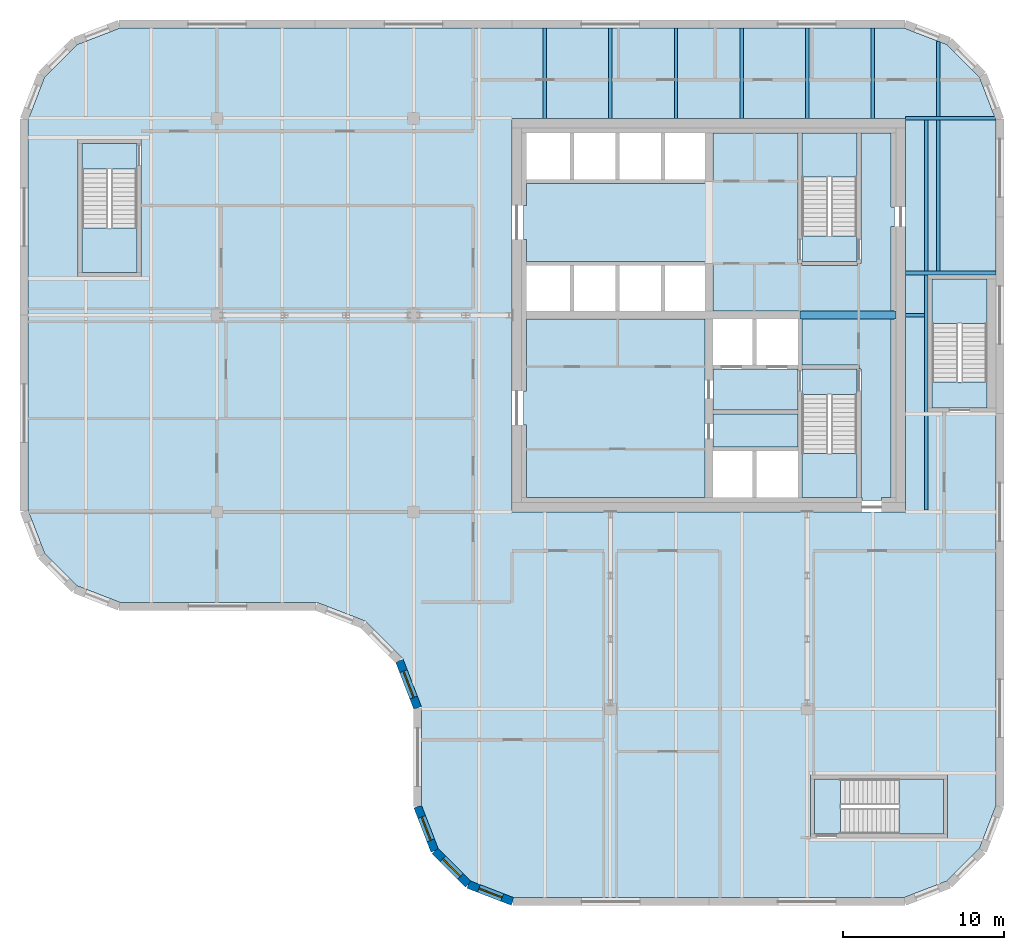
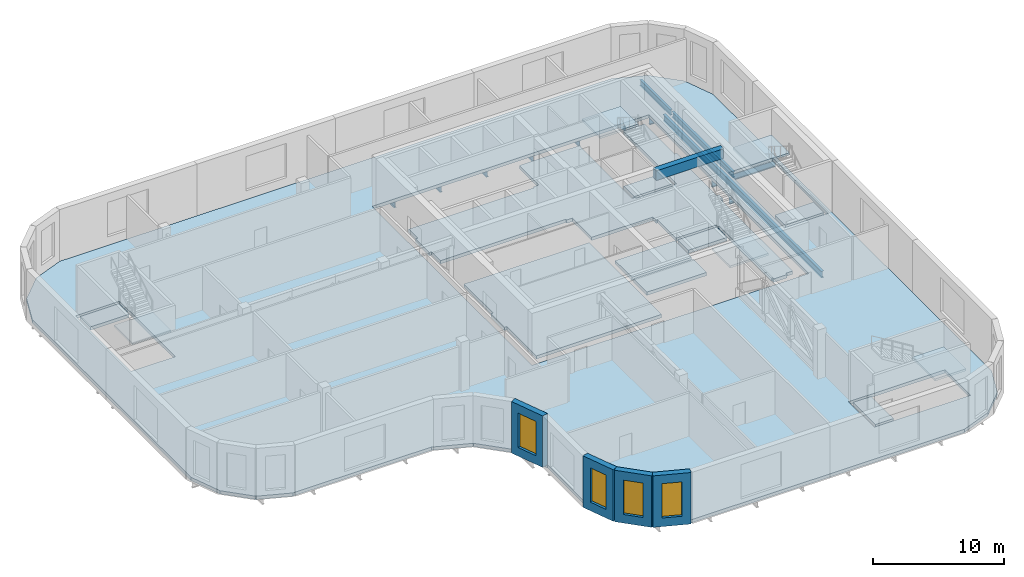
# One storey, part 4 of 12: 15 slabs, 13 beams, 4 walls, 4 windows, 4 openings, 5 elements without a shape of their own.
"""IFC4 building model written with IfcOpenShell, lengths in metres."""

from ifc_helpers import new_model, si_unit, direction, frame, origin, origin_2d, place, context, subcontext, project, spatial, polyline, rectangle, i_section, outline, extrude, faceted_brep, source, transform, mapped, material, layer, layer_set, material_profile, profile_set, type_object, element, fill, aggregate, save


model = new_model("IFC4")

# Units and contexts
model_context = context("Model", 3, precision=1e-05, world=origin(), true_north=direction((0.0, 1.0)))
body_context = subcontext(model_context, "Body", "Model", "MODEL_VIEW")
ifc_project = project(units=[si_unit("LENGTHUNIT", "METRE"), si_unit("AREAUNIT", "SQUARE_METRE"), si_unit("VOLUMEUNIT", "CUBIC_METRE"), si_unit("PLANEANGLEUNIT", "RADIAN"), si_unit("MASSUNIT", "GRAM", prefix="KILO")], contexts=[model_context])

# Site, building, storey
site_placement = place(None, origin())
site = spatial("IfcSite", under=ifc_project, at=site_placement, CompositionType="ELEMENT")
building_placement = place(site_placement, origin())
building = spatial("IfcBuilding", under=site, at=building_placement, Name="Tessera Gate Towers", CompositionType="ELEMENT")
storey_placement = place(building_placement, frame((0.0, 0.0, 150.60009765625)))
storey = spatial("IfcBuildingStorey", under=building, at=storey_placement, Name="L37", CompositionType="ELEMENT", Elevation=150.60009765625)

# Beams
ifc_material_1 = material(Name="Concrete C50/60", Category="concrete")
ifc_material_profile_1 = material_profile(ifc_material_1, rectangle(XDim=0.5, YDim=0.89990234375, at=origin_2d()), Name="RC 500x900")
ifc_profile_set_1 = profile_set([ifc_material_profile_1], Name="Concrete C50/60")
beam_type_1 = type_object("IfcBeamType", Name="COUPLING BEAM 500x900 C50/60", PredefinedType="BEAM", material=ifc_profile_set_1)
beam_1_placement = place(storey_placement, frame((48.35009765625, 36.60009765625, 4.14990234375), z_axis=(1.0, 0.0, 0.0), x_axis=(0.0, 1.0, 0.0)))
element("IfcBeam", 1, at=beam_1_placement, inside=storey, type_object=beam_type_1, Name="L37 coupling beam 1", PredefinedType="BEAM", context=body_context, shape_type="SweptSolid", body=[
    extrude(rectangle(XDim=0.5, YDim=0.89990234375, at=origin_2d()), origin(), (0.0, 0.0, 1.0), 5.949951171875),
])
ifc_material_2 = material(Name="Steel 350W", Category="steel")
ifc_material_profile_2 = material_profile(ifc_material_2, i_section(OverallWidth=0.22900390625, OverallDepth=0.612060546875, WebThickness=0.011962890625, FlangeThickness=0.01953125, at=origin_2d()), Name="W610x125")
ifc_profile_set_2 = profile_set([ifc_material_profile_2], Name="Steel 350W")
beam_type_2 = type_object("IfcBeamType", Name="FLOOR GIRDER W610x125", PredefinedType="BEAM", material=ifc_profile_set_2)
beam_2_placement = place(storey_placement, frame((54.89892578125, 36.60009765625, -0.606201171875), z_axis=(1.0, 0.0, 0.0), x_axis=(0.0, 1.0, 0.0)))
element("IfcBeam", 2, at=beam_2_placement, inside=storey, type_object=beam_type_2, Name="T1-GD-L37-4306", PredefinedType="BEAM", context=body_context, shape_type="SweptSolid", body=[
    extrude(i_section(OverallWidth=0.22900390625, OverallDepth=0.612060546875, WebThickness=0.011962890625, FlangeThickness=0.01953125, at=origin_2d()), origin(), (0.0, 0.0, 1.0), 1.16650390625),
])
beam_3_placement = place(storey_placement, frame((54.90087890625, 48.800048828125, -0.606201171875), z_axis=(1.0, 0.0, 0.0), x_axis=(0.0, 1.0, 0.0)))
element("IfcBeam", 3, at=beam_3_placement, inside=storey, type_object=beam_type_2, Name="T1-GD-L37-4310", PredefinedType="BEAM", context=body_context, shape_type="SweptSolid", body=[
    extrude(i_section(OverallWidth=0.22900390625, OverallDepth=0.612060546875, WebThickness=0.011962890625, FlangeThickness=0.01953125, at=origin_2d()), origin(), (0.0, 0.0, 1.0), 5.564208984375),
])
beam_4_placement = place(storey_placement, frame((54.89892578125, 39.219970703125, -0.606201171875), z_axis=(1.0, 0.0, 0.0), x_axis=(0.0, 1.0, 0.0)))
element("IfcBeam", 4, at=beam_4_placement, inside=storey, type_object=beam_type_2, Name="T1-GD-L37-4328", PredefinedType="BEAM", context=body_context, shape_type="SweptSolid", body=[
    extrude(i_section(OverallWidth=0.22900390625, OverallDepth=0.612060546875, WebThickness=0.011962890625, FlangeThickness=0.01953125, at=origin_2d()), origin(), (0.0, 0.0, 1.0), 5.60205078125),
])
beam_5_placement = place(storey_placement, frame((56.179931640625, 24.514404296875, -0.606201171875), z_axis=(0.0, 1.0, 0.0), x_axis=(-1.0, 0.0, 0.0)))
element("IfcBeam", 5, at=beam_5_placement, inside=storey, type_object=beam_type_2, Name="T1-GD-L37-4329", PredefinedType="BEAM", context=body_context, shape_type="SweptSolid", body=[
    extrude(i_section(OverallWidth=0.22900390625, OverallDepth=0.612060546875, WebThickness=0.011962890625, FlangeThickness=0.01953125, at=origin_2d()), origin(), (0.0, 0.0, 1.0), 24.171142578125),
])
ifc_material_3 = material(Name="Steel 350W", Category="steel")
ifc_material_profile_3 = material_profile(ifc_material_3, i_section(OverallWidth=0.208984375, OverallDepth=0.528076171875, WebThickness=0.009521484375, FlangeThickness=0.01318359375, at=origin_2d()), Name="W530x82")
ifc_profile_set_3 = profile_set([ifc_material_profile_3], Name="Steel 350W")
beam_type_3 = type_object("IfcBeamType", Name="FLOOR SECONDARY W530x82", PredefinedType="BEAM", material=ifc_profile_set_3)
for number, where, z_axis, x_axis, name in (
    (6, (32.533203125, 48.800048828125, -0.564208984375), (0.0, 1.0, 0.0), (-1.0, 0.0, 0.0), "T1-BM-L37-4353"),
    (7, (36.60009765625, 48.800048828125, -0.564208984375), (0.0, 1.0, 0.0), (-1.0, 0.0, 0.0), "T1-BM-L37-4354"),
    (8, (40.666748046875, 48.800048828125, -0.564208984375), (0.0, 1.0, 0.0), (-1.0, 0.0, 0.0), "T1-BM-L37-4357"),
    (9, (44.7333984375, 48.800048828125, -0.564208984375), (0.0, 1.0, 0.0), (-1.0, 0.0, 0.0), "T1-BM-L37-4360"),
    (10, (48.800048828125, 48.800048828125, -0.564208984375), (0.0, 1.0, 0.0), (-1.0, 0.0, 0.0), "T1-BM-L37-4361"),
    (11, (52.86669921875, 48.800048828125, -0.564208984375), (0.0, 1.0, 0.0), (-1.0, 0.0, 0.0), "T1-BM-L37-4365"),
):
    element("IfcBeam", number, at=place(storey_placement, frame(where, z_axis=z_axis, x_axis=x_axis)), inside=storey, type_object=beam_type_3, Name=name, PredefinedType="BEAM", context=body_context, shape_type="SweptSolid", body=[
        extrude(i_section(OverallWidth=0.208984375, OverallDepth=0.528076171875, WebThickness=0.009521484375, FlangeThickness=0.01318359375, at=origin_2d()), origin(), (0.0, 0.0, 1.0), 5.599853515625),
    ])
beam_6_placement = place(storey_placement, frame((56.933349609375, 39.33447265625, -0.564208984375), z_axis=(0.0, 1.0, 0.0), x_axis=(-1.0, 0.0, 0.0)))
element("IfcBeam", 12, at=beam_6_placement, inside=storey, type_object=beam_type_3, Name="T1-BM-L37-4370", PredefinedType="BEAM", context=body_context, shape_type="SweptSolid", body=[
    extrude(i_section(OverallWidth=0.208984375, OverallDepth=0.528076171875, WebThickness=0.009521484375, FlangeThickness=0.01318359375, at=origin_2d()), origin(), (0.0, 0.0, 1.0), 9.35107421875),
])
beam_7_placement = place(storey_placement, frame((56.933349609375, 48.91455078125, -0.564208984375), z_axis=(0.0, 1.0, 0.0), x_axis=(-1.0, 0.0, 0.0)))
element("IfcBeam", 13, at=beam_7_placement, inside=storey, type_object=beam_type_3, Name="T1-BM-L37-4371", PredefinedType="BEAM", context=body_context, shape_type="SweptSolid", body=[
    extrude(i_section(OverallWidth=0.208984375, OverallDepth=0.528076171875, WebThickness=0.009521484375, FlangeThickness=0.01318359375, at=origin_2d()), origin(), (0.0, 0.0, 1.0), 4.6650390625),
])

# Slabs
ifc_material_4 = material(Name="Concrete C35/45", Category="concrete")
ifc_layer_1 = layer(ifc_material_4, 0.300048828125)
ifc_layer_set_1 = layer_set([ifc_layer_1], Name="COMPOSITE FLOOR 300")
slab_type_1 = type_object("IfcSlabType", Name="COMPOSITE FLOOR 300", PredefinedType="FLOOR", material=ifc_layer_set_1)
slab_1_placement = place(storey_placement, frame((0.0, 0.0, -0.300048828125)))
element("IfcSlab", 14, at=slab_1_placement, inside=storey, type_object=slab_type_1, Name="T1-L37", PredefinedType="FLOOR", context=body_context, shape_type="SweptSolid", body=[
    extrude(outline(polyline([(0.5, 24.4931640625), (1.526123046875, 21.8330078125), (3.533203125, 19.826171875), (6.193115234375, 18.800048828125), (18.39306640625, 18.800048828125), (21.42431640625, 17.630615234375), (23.730712890625, 15.32421875), (24.89990234375, 12.293212890625), (24.89990234375, 6.193115234375), (25.926025390625, 3.533203125), (27.93310546875, 1.526123046875), (30.593017578125, 0.5), (54.806884765625, 0.5), (57.466796875, 1.526123046875), (59.473876953125, 3.533203125), (60.5, 6.193115234375), (60.5, 48.706787109375), (59.473876953125, 51.366943359375), (57.466796875, 53.373779296875), (54.806884765625, 54.39990234375), (6.193115234375, 54.39990234375), (3.533203125, 53.373779296875), (1.526123046875, 51.366943359375), (0.5, 48.706787109375), (0.5, 24.4931640625)]), holes=[polyline([(3.60009765625, 39.0), (3.60009765625, 47.5), (7.5, 47.5), (7.5, 39.0), (3.60009765625, 39.0)]), polyline([(30.5, 24.39990234375), (30.5, 48.800048828125), (54.89990234375, 48.800048828125), (54.89990234375, 24.39990234375), (30.5, 24.39990234375)]), polyline([(49.0, 4.199951171875), (49.0, 8.10009765625), (57.5, 8.10009765625), (57.5, 4.199951171875), (49.0, 4.199951171875)]), polyline([(56.300048828125, 30.60009765625), (56.300048828125, 39.10009765625), (60.199951171875, 39.10009765625), (60.199951171875, 30.60009765625), (56.300048828125, 30.60009765625)])]), origin(), (0.0, 0.0, 1.0), 0.300048828125),
])
ifc_material_5 = material(Name="Concrete C35/45", Category="concrete")
ifc_layer_2 = layer(ifc_material_5, 0.300048828125)
ifc_layer_set_2 = layer_set([ifc_layer_2], Name="CORE FLOOR SLAB 300")
slab_type_2 = type_object("IfcSlabType", Name="CORE FLOOR SLAB 300", PredefinedType="FLOOR", material=ifc_layer_set_2)
slab_2_placement = place(storey_placement, frame((0.0, 0.0, -0.300048828125)))
element("IfcSlab", 15, at=slab_2_placement, inside=storey, type_object=slab_type_2, Name="L37 core floor slab", PredefinedType="FLOOR", context=body_context, shape_type="SweptSolid", body=[
    extrude(outline(polyline([(42.449951171875, 44.89990234375), (42.449951171875, 44.77490234375), (31.39990234375, 44.77490234375), (31.39990234375, 43.39990234375), (31.199951171875, 43.39990234375), (31.199951171875, 41.300048828125), (31.39990234375, 41.300048828125), (31.39990234375, 39.925048828125), (42.449951171875, 39.925048828125), (42.449951171875, 39.800048828125), (42.949951171875, 39.800048828125), (42.949951171875, 36.85009765625), (48.35009765625, 36.85009765625), (48.35009765625, 36.35009765625), (48.47509765625, 36.35009765625), (48.47509765625, 33.52490234375), (52.0, 33.52490234375), (52.0, 33.27490234375), (52.125, 33.27490234375), (52.125, 25.300048828125), (52.199951171875, 25.300048828125), (52.199951171875, 25.10009765625), (53.39990234375, 25.10009765625), (53.39990234375, 25.300048828125), (54.0, 25.300048828125), (54.0, 36.320068359375), (54.199951171875, 36.320068359375), (54.199951171875, 36.8798828125), (54.0, 36.8798828125), (54.0, 42.10009765625), (54.199951171875, 42.10009765625), (54.199951171875, 43.300048828125), (54.0, 43.300048828125), (54.0, 47.89990234375), (52.125, 47.89990234375), (52.125, 39.800048828125), (51.875, 39.800048828125), (51.875, 39.675048828125), (48.47509765625, 39.675048828125), (48.47509765625, 39.800048828125), (48.22509765625, 39.800048828125), (48.22509765625, 47.89990234375), (42.949951171875, 47.89990234375), (42.949951171875, 44.89990234375), (42.449951171875, 44.89990234375)])), origin(), (0.0, 0.0, 1.0), 0.300048828125),
])
slab_3_placement = place(storey_placement, frame((0.0, 0.0, -0.300048828125)))
element("IfcSlab", 16, at=slab_3_placement, inside=storey, type_object=slab_type_2, Name="L37 core floor slab", PredefinedType="FLOOR", context=body_context, shape_type="SweptSolid", body=[
    extrude(outline(polyline([(31.39990234375, 36.35009765625), (31.39990234375, 31.89990234375), (31.199951171875, 31.89990234375), (31.199951171875, 29.800048828125), (31.39990234375, 29.800048828125), (31.39990234375, 25.300048828125), (42.449951171875, 25.300048828125), (42.449951171875, 36.35009765625), (31.39990234375, 36.35009765625)])), origin(), (0.0, 0.0, 1.0), 0.300048828125),
])
slab_4_placement = place(storey_placement, frame((0.0, 0.0, -0.300048828125)))
element("IfcSlab", 17, at=slab_4_placement, inside=storey, type_object=slab_type_2, Name="L37 core floor slab", PredefinedType="FLOOR", context=body_context, shape_type="SweptSolid", body=[
    extrude(outline(polyline([(42.949951171875, 33.27490234375), (42.949951171875, 30.72509765625), (48.22509765625, 30.72509765625), (48.22509765625, 33.27490234375), (42.949951171875, 33.27490234375)])), origin(), (0.0, 0.0, 1.0), 0.300048828125),
])
slab_5_placement = place(storey_placement, frame((0.0, 0.0, -0.300048828125)))
element("IfcSlab", 18, at=slab_5_placement, inside=storey, type_object=slab_type_2, Name="L37 core floor slab", PredefinedType="FLOOR", context=body_context, shape_type="SweptSolid", body=[
    extrude(outline(polyline([(48.22509765625, 30.47509765625), (42.949951171875, 30.47509765625), (42.949951171875, 28.425048828125), (48.22509765625, 28.425048828125), (48.22509765625, 30.47509765625)])), origin(), (0.0, 0.0, 1.0), 0.300048828125),
])
slab_6_placement = place(storey_placement, frame((0.0, 0.0, -0.300048828125)))
element("IfcSlab", 19, at=slab_6_placement, inside=storey, type_object=slab_type_2, Name="L37 core floor slab", PredefinedType="FLOOR", context=body_context, shape_type="SweptSolid", body=[
    extrude(outline(polyline([(51.875, 31.675048828125), (51.875, 33.27490234375), (48.47509765625, 33.27490234375), (48.47509765625, 31.675048828125), (51.875, 31.675048828125)])), origin(), (0.0, 0.0, 1.0), 0.300048828125),
])
slab_7_placement = place(storey_placement, frame((0.0, 0.0, -0.300048828125)))
element("IfcSlab", 20, at=slab_7_placement, inside=storey, type_object=slab_type_2, Name="L37 core floor slab", PredefinedType="FLOOR", context=body_context, shape_type="SweptSolid", body=[
    extrude(outline(polyline([(48.47509765625, 41.52490234375), (48.47509765625, 39.925048828125), (51.875, 39.925048828125), (51.875, 41.52490234375), (48.47509765625, 41.52490234375)])), origin(), (0.0, 0.0, 1.0), 0.300048828125),
])
slab_8_placement = place(storey_placement, frame((0.0, 0.0, -0.300048828125)))
element("IfcSlab", 21, at=slab_8_placement, inside=storey, type_object=slab_type_2, Name="L37 ST3 floor landing", PredefinedType="FLOOR", context=body_context, shape_type="SweptSolid", body=[
    extrude(outline(polyline([(3.85009765625, 47.25), (3.85009765625, 45.64990234375), (7.25, 45.64990234375), (7.25, 47.25), (3.85009765625, 47.25)])), origin(), (0.0, 0.0, 1.0), 0.300048828125),
])
slab_9_placement = place(storey_placement, frame((0.0, 0.0, -0.300048828125)))
element("IfcSlab", 22, at=slab_9_placement, inside=storey, type_object=slab_type_2, Name="L37 ST4 floor landing", PredefinedType="FLOOR", context=body_context, shape_type="SweptSolid", body=[
    extrude(outline(polyline([(49.25, 4.449951171875), (50.85009765625, 4.449951171875), (50.85009765625, 7.85009765625), (49.25, 7.85009765625), (49.25, 4.449951171875)])), origin(), (0.0, 0.0, 1.0), 0.300048828125),
])
slab_10_placement = place(storey_placement, frame((0.0, 0.0, -0.300048828125)))
element("IfcSlab", 23, at=slab_10_placement, inside=storey, type_object=slab_type_2, Name="L37 ST5 floor landing", PredefinedType="FLOOR", context=body_context, shape_type="SweptSolid", body=[
    extrude(outline(polyline([(59.949951171875, 30.85009765625), (59.949951171875, 32.449951171875), (56.550048828125, 32.449951171875), (56.550048828125, 30.85009765625), (59.949951171875, 30.85009765625)])), origin(), (0.0, 0.0, 1.0), 0.300048828125),
])

# Stair, slab
ifc_material_6 = material(Name="Concrete C40/50", Category="concrete")
stair_type_1 = type_object("IfcStairType", Name="EXIT STAIR ST1A 1600", PredefinedType="HALF_TURN_STAIR", material=ifc_material_6)
stair_1_placement = place(storey_placement, origin())
stair_1 = element("IfcStair", 24, at=stair_1_placement, inside=storey, type_object=stair_type_1, Name="L37 Protected Exit Stair ST1", PredefinedType="HALF_TURN_STAIR")
ifc_material_7 = material(Name="Concrete C40/50", Category="concrete")
ifc_layer_3 = layer(ifc_material_7, 0.199951171875)
ifc_layer_set_3 = layer_set([ifc_layer_3], Name="EXIT STAIR LANDING 200")
slab_type_3 = type_object("IfcSlabType", Name="EXIT STAIR LANDING 200", PredefinedType="LANDING", material=ifc_layer_set_3)
slab_11_placement = place(storey_placement, frame((0.0, 0.0, 2.199951171875)))
slab_11 = element("IfcSlab", 25, at=slab_11_placement, type_object=slab_type_3, Name="ST1 landing 1", PredefinedType="LANDING", context=body_context, shape_type="SweptSolid", body=[
    extrude(outline(polyline([(48.47509765625, 28.034912109375), (48.47509765625, 25.300048828125), (51.875, 25.300048828125), (51.875, 28.034912109375), (48.47509765625, 28.034912109375)])), origin(), (0.0, 0.0, 1.0), 0.199951171875),
])
aggregate(stair_1, [slab_11])

ifc_material_8 = material(Name="Concrete C40/50", Category="concrete")
stair_type_2 = type_object("IfcStairType", Name="EXIT STAIR ST2A 1600", PredefinedType="HALF_TURN_STAIR", material=ifc_material_8)
stair_2_placement = place(storey_placement, origin())
stair_2 = element("IfcStair", 26, at=stair_2_placement, inside=storey, type_object=stair_type_2, Name="L37 Protected Exit Stair ST2", PredefinedType="HALF_TURN_STAIR")
slab_12_placement = place(storey_placement, frame((0.0, 0.0, 2.199951171875)))
slab_12 = element("IfcSlab", 27, at=slab_12_placement, type_object=slab_type_3, Name="ST2 landing 1", PredefinedType="LANDING", context=body_context, shape_type="SweptSolid", body=[
    extrude(outline(polyline([(51.875, 45.1650390625), (51.875, 47.89990234375), (48.47509765625, 47.89990234375), (48.47509765625, 45.1650390625), (51.875, 45.1650390625)])), origin(), (0.0, 0.0, 1.0), 0.199951171875),
])
aggregate(stair_2, [slab_12])

ifc_material_9 = material(Name="Concrete C40/50", Category="concrete")
stair_type_3 = type_object("IfcStairType", Name="EXIT STAIR ST3A 1600", PredefinedType="HALF_TURN_STAIR", material=ifc_material_9)
stair_3_placement = place(storey_placement, origin())
stair_3 = element("IfcStair", 28, at=stair_3_placement, inside=storey, type_object=stair_type_3, Name="L37 West Exit Stair ST3", PredefinedType="HALF_TURN_STAIR")
slab_13_placement = place(storey_placement, frame((0.0, 0.0, 2.199951171875)))
slab_13 = element("IfcSlab", 29, at=slab_13_placement, type_object=slab_type_3, Name="ST3 landing 1", PredefinedType="LANDING", context=body_context, shape_type="SweptSolid", body=[
    extrude(outline(polyline([(3.85009765625, 42.010009765625), (3.85009765625, 39.25), (7.25, 39.25), (7.25, 42.010009765625), (3.85009765625, 42.010009765625)])), origin(), (0.0, 0.0, 1.0), 0.199951171875),
])
aggregate(stair_3, [slab_13])

ifc_material_10 = material(Name="Concrete C40/50", Category="concrete")
stair_type_4 = type_object("IfcStairType", Name="EXIT STAIR ST4A 1600", PredefinedType="HALF_TURN_STAIR", material=ifc_material_10)
stair_4_placement = place(storey_placement, origin())
stair_4 = element("IfcStair", 30, at=stair_4_placement, inside=storey, type_object=stair_type_4, Name="L37 South Exit Stair ST4", PredefinedType="HALF_TURN_STAIR")
slab_14_placement = place(storey_placement, frame((0.0, 0.0, 2.199951171875)))
slab_14 = element("IfcSlab", 31, at=slab_14_placement, type_object=slab_type_3, Name="ST4 landing 1", PredefinedType="LANDING", context=body_context, shape_type="SweptSolid", body=[
    extrude(outline(polyline([(54.489990234375, 4.449951171875), (57.25, 4.449951171875), (57.25, 7.85009765625), (54.489990234375, 7.85009765625), (54.489990234375, 4.449951171875)])), origin(), (0.0, 0.0, 1.0), 0.199951171875),
])
aggregate(stair_4, [slab_14])

ifc_material_11 = material(Name="Concrete C40/50", Category="concrete")
stair_type_5 = type_object("IfcStairType", Name="EXIT STAIR ST5A 1600", PredefinedType="HALF_TURN_STAIR", material=ifc_material_11)
stair_5_placement = place(storey_placement, origin())
stair_5 = element("IfcStair", 32, at=stair_5_placement, inside=storey, type_object=stair_type_5, Name="L37 East Exit Stair ST5", PredefinedType="HALF_TURN_STAIR")
slab_15_placement = place(storey_placement, frame((0.0, 0.0, 2.199951171875)))
slab_15 = element("IfcSlab", 33, at=slab_15_placement, type_object=slab_type_3, Name="ST5 landing 1", PredefinedType="LANDING", context=body_context, shape_type="SweptSolid", body=[
    extrude(outline(polyline([(59.949951171875, 36.090087890625), (59.949951171875, 38.85009765625), (56.550048828125, 38.85009765625), (56.550048828125, 36.090087890625), (59.949951171875, 36.090087890625)])), origin(), (0.0, 0.0, 1.0), 0.199951171875),
])
aggregate(stair_5, [slab_15])

# Wall, opening, window
ifc_material_12 = material(Name="Precast concrete C60/75 white", Category="concrete")
ifc_layer_4 = layer(ifc_material_12, 0.5)
ifc_layer_set_4 = layer_set([ifc_layer_4], Name="RB1 ring band panel")
wall_type = type_object("IfcWallType", Name="RB1 ring band panel", PredefinedType="SOLIDWALL", material=ifc_layer_set_4)
shared_shape_1 = source(origin(), body_context, "Body", "Brep", [
    faceted_brep([(0.0, -0.25, 0.0), (2.950439453125, -0.25, 0.0), (2.950439453125, -0.25, 4.7998046875), (0.0, -0.25, 4.7998046875), (0.046630859375, 0.25, 4.7998046875), (2.897705078125, 0.25, 4.7998046875), (2.897705078125, 0.25, 0.0), (0.046630859375, 0.25, 0.0), (2.950439453125, 0.00048828125, 0.0), (0.0, 0.0, 0.0), (2.950439453125, 0.00048828125, 4.7998046875), (0.0, 0.0, 4.7998046875)], [[[0, 1, 2, 3]], [[4, 5, 6, 7]], [[7, 6, 8, 1, 0, 9]], [[10, 2, 1, 8]], [[5, 4, 11, 3, 2, 10]], [[9, 0, 3, 11]], [[7, 9, 11, 4]], [[8, 6, 5, 10]]]),
])
wall_1_placement = place(storey_placement, frame((24.64990234375, 6.146484375, 0.0), z_axis=(0.0, 0.0, 1.0), x_axis=(0.359949242603, -0.932971887438, 0.0)))
wall_1 = element("IfcWall", 34, at=wall_1_placement, inside=storey, type_object=wall_type, Name="Ring band panel T1 RB1-0062", PredefinedType="SOLIDWALL", context=body_context, shape_type="MappedRepresentation", body=[
    mapped(shared_shape_1, transform((0.0, 0.0, 0.0), scale=1.0)),
])
shared_shape_2 = source(origin(), body_context, "Body", "SweptSolid", [
    extrude(outline(polyline([(0.699951171875, 0.7998046875), (2.25048828125, 0.7998046875), (2.25048828125, 4.0), (0.699951171875, 4.0), (0.699951171875, 0.7998046875)])), frame((0.0, 0.260009765625, 0.0), z_axis=(0.0, -1.0, 0.0), x_axis=(1.0, 0.0, 0.0)), (0.0, 0.0, 1.0), 0.52001953125),
])
opening_1_placement = place(wall_1_placement, origin())
opening_1 = element("IfcOpeningElement", 35, at=opening_1_placement, cuts=wall_1, Name="Opening T1-WN-LV1-0062", PredefinedType="OPENING", context=body_context, shape_type="MappedRepresentation", body=[
    mapped(shared_shape_2, transform((0.0, 0.0, 0.0), scale=1.0)),
])
ifc_material_13 = material(Name="Aluminium louvre", Category="aluminium")
ifc_layer_5 = layer(ifc_material_13, 0.06005859375)
ifc_layer_set_5 = layer_set([ifc_layer_5], Name="LV1 louvre")
window_type = type_object("IfcWindowType", Name="LV1 louvre", PartitioningType="USERDEFINED", PredefinedType="WINDOW", material=ifc_layer_set_5)
shared_shape_3 = source(origin(), body_context, "Body", "SweptSolid", [
    extrude(outline(polyline([(0.699951171875, 0.7998046875), (2.25048828125, 0.7998046875), (2.25048828125, 4.0), (0.699951171875, 4.0), (0.699951171875, 0.7998046875)])), frame((0.0, 0.030029296875, 0.0), z_axis=(0.0, -1.0, 0.0), x_axis=(1.0, 0.0, 0.0)), (0.0, 0.0, 1.0), 0.06005859375),
])
window_1_placement = place(opening_1_placement, origin())
window_1 = element("IfcWindow", 36, at=window_1_placement, inside=storey, type_object=window_type, Name="Louvre T1 WN-LV1-0062", OverallHeight=3.2001953125, OverallWidth=1.550537109375, PartitioningType="USERDEFINED", PredefinedType="WINDOW", context=body_context, shape_type="MappedRepresentation", body=[
    mapped(shared_shape_3, transform((0.0, 0.0, 0.0), scale=1.0)),
])
fill(opening_1, window_1)

shared_shape_4 = source(origin(), body_context, "Body", "Brep", [
    faceted_brep([(0.0, -0.25, 0.0), (2.944091796875, -0.25, 0.0), (2.944091796875, -0.25, 4.7998046875), (0.0, -0.25, 4.7998046875), (0.052978515625, 0.25, 4.7998046875), (2.89111328125, 0.25, 4.7998046875), (2.89111328125, 0.25, 0.0), (0.052978515625, 0.25, 0.0), (2.944091796875, 0.000244140625, 0.0), (0.0, 0.0, 0.0), (2.944091796875, 0.000244140625, 4.7998046875), (0.0, 0.0, 4.7998046875)], [[[0, 1, 2, 3]], [[4, 5, 6, 7]], [[7, 6, 8, 1, 0, 9]], [[10, 2, 1, 8]], [[5, 4, 11, 3, 2, 10]], [[9, 0, 3, 11]], [[7, 9, 11, 4]], [[8, 6, 5, 10]]]),
])
wall_2_placement = place(storey_placement, frame((25.7119140625, 3.393798828125, 0.0), z_axis=(0.0, 0.0, 1.0), x_axis=(0.707106781187, -0.707106781187, 0.0)))
wall_2 = element("IfcWall", 37, at=wall_2_placement, inside=storey, type_object=wall_type, Name="Ring band panel T1 RB1-0063", PredefinedType="SOLIDWALL", context=body_context, shape_type="MappedRepresentation", body=[
    mapped(shared_shape_4, transform((0.0, 0.0, 0.0), scale=1.0)),
])
shared_shape_5 = source(origin(), body_context, "Body", "SweptSolid", [
    extrude(outline(polyline([(0.699951171875, 0.7998046875), (2.244140625, 0.7998046875), (2.244140625, 4.0), (0.699951171875, 4.0), (0.699951171875, 0.7998046875)])), frame((0.0, 0.260009765625, 0.0), z_axis=(0.0, -1.0, 0.0), x_axis=(1.0, 0.0, 0.0)), (0.0, 0.0, 1.0), 0.52001953125),
])
opening_2_placement = place(wall_2_placement, origin())
opening_2 = element("IfcOpeningElement", 38, at=opening_2_placement, cuts=wall_2, Name="Opening T1-WN-LV1-0063", PredefinedType="OPENING", context=body_context, shape_type="MappedRepresentation", body=[
    mapped(shared_shape_5, transform((0.0, 0.0, 0.0), scale=1.0)),
])
shared_shape_6 = source(origin(), body_context, "Body", "SweptSolid", [
    extrude(outline(polyline([(0.699951171875, 0.7998046875), (2.244140625, 0.7998046875), (2.244140625, 4.0), (0.699951171875, 4.0), (0.699951171875, 0.7998046875)])), frame((0.0, 0.030029296875, 0.0), z_axis=(0.0, -1.0, 0.0), x_axis=(1.0, 0.0, 0.0)), (0.0, 0.0, 1.0), 0.06005859375),
])
window_2_placement = place(opening_2_placement, origin())
window_2 = element("IfcWindow", 39, at=window_2_placement, inside=storey, type_object=window_type, Name="Louvre T1 WN-LV1-0063", OverallHeight=3.2001953125, OverallWidth=1.544189453125, PartitioningType="USERDEFINED", PredefinedType="WINDOW", context=body_context, shape_type="MappedRepresentation", body=[
    mapped(shared_shape_6, transform((0.0, 0.0, 0.0), scale=1.0)),
])
fill(opening_2, window_2)

shared_shape_7 = source(origin(), body_context, "Body", "Brep", [
    faceted_brep([(0.0, -0.25, 0.0), (2.950439453125, -0.25, 0.0), (2.950439453125, -0.25, 4.7998046875), (0.0, -0.25, 4.7998046875), (0.052978515625, 0.25, 4.7998046875), (2.904052734375, 0.25, 4.7998046875), (2.904052734375, 0.25, 0.0), (0.052978515625, 0.25, 0.0), (2.950439453125, 0.00048828125, 0.0), (0.0, 0.0, 0.0), (2.950439453125, 0.00048828125, 4.7998046875), (0.0, 0.0, 4.7998046875)], [[[0, 1, 2, 3]], [[4, 5, 6, 7]], [[7, 6, 8, 1, 0, 9]], [[10, 2, 1, 8]], [[5, 4, 11, 3, 2, 10]], [[9, 0, 3, 11]], [[7, 9, 11, 4]], [[8, 6, 5, 10]]]),
])
wall_3_placement = place(storey_placement, frame((27.793701171875, 1.31201171875, 0.0), z_axis=(0.0, 0.0, 1.0), x_axis=(0.932971887438, -0.359949242603, 0.0)))
wall_3 = element("IfcWall", 40, at=wall_3_placement, inside=storey, type_object=wall_type, Name="Ring band panel T1 RB1-0064", PredefinedType="SOLIDWALL", context=body_context, shape_type="MappedRepresentation", body=[
    mapped(shared_shape_7, transform((0.0, 0.0, 0.0), scale=1.0)),
])
opening_3_placement = place(wall_3_placement, origin())
opening_3 = element("IfcOpeningElement", 41, at=opening_3_placement, cuts=wall_3, Name="Opening T1-WN-LV1-0064", PredefinedType="OPENING", context=body_context, shape_type="MappedRepresentation", body=[
    mapped(shared_shape_2, transform((0.0, 0.0, 0.0), scale=1.0)),
])
window_3_placement = place(opening_3_placement, origin())
window_3 = element("IfcWindow", 42, at=window_3_placement, inside=storey, type_object=window_type, Name="Louvre T1 WN-LV1-0064", OverallHeight=3.2001953125, OverallWidth=1.550537109375, PartitioningType="USERDEFINED", PredefinedType="WINDOW", context=body_context, shape_type="MappedRepresentation", body=[
    mapped(shared_shape_3, transform((0.0, 0.0, 0.0), scale=1.0)),
])
fill(opening_3, window_3)

shared_shape_8 = source(origin(), body_context, "Body", "Brep", [
    faceted_brep([(0.052978515625, -0.25, 0.0), (3.10302734375, -0.25, 0.0), (3.10302734375, -0.25, 4.7998046875), (0.052978515625, -0.25, 4.7998046875), (0.0, 0.25, 4.7998046875), (3.1494140625, 0.25, 4.7998046875), (3.1494140625, 0.25, 0.0), (0.0, 0.25, 0.0), (3.1494140625, -0.000244140625, 0.0), (0.0, 0.0, 0.0), (3.1494140625, -0.000244140625, 4.7998046875), (0.0, 0.0, 4.7998046875)], [[[0, 1, 2, 3]], [[4, 5, 6, 7]], [[7, 6, 8, 1, 0, 9]], [[6, 5, 10, 8]], [[5, 4, 11, 3, 2, 10]], [[4, 7, 9, 11]], [[9, 0, 3, 11]], [[1, 8, 10, 2]]]),
])
wall_4_placement = place(storey_placement, frame((23.5166015625, 15.18505859375, 0.0), z_axis=(0.0, 0.0, 1.0), x_axis=(0.359841220347, -0.933013556246, 0.0)))
wall_4 = element("IfcWall", 43, at=wall_4_placement, inside=storey, type_object=wall_type, Name="Ring band panel T1 RB1-0060", PredefinedType="SOLIDWALL", context=body_context, shape_type="MappedRepresentation", body=[
    mapped(shared_shape_8, transform((0.0, 0.0, 0.0), scale=1.0)),
])
shared_shape_9 = source(origin(), body_context, "Body", "SweptSolid", [
    extrude(outline(polyline([(0.699951171875, 0.7998046875), (2.449462890625, 0.7998046875), (2.449462890625, 4.0), (0.699951171875, 4.0), (0.699951171875, 0.7998046875)])), frame((0.0, 0.260009765625, 0.0), z_axis=(0.0, -1.0, 0.0), x_axis=(1.0, 0.0, 0.0)), (0.0, 0.0, 1.0), 0.52001953125),
])
opening_4_placement = place(wall_4_placement, origin())
opening_4 = element("IfcOpeningElement", 44, at=opening_4_placement, cuts=wall_4, Name="Opening T1-WN-LV1-0060", PredefinedType="OPENING", context=body_context, shape_type="MappedRepresentation", body=[
    mapped(shared_shape_9, transform((0.0, 0.0, 0.0), scale=1.0)),
])
shared_shape_10 = source(origin(), body_context, "Body", "SweptSolid", [
    extrude(outline(polyline([(0.699951171875, 0.7998046875), (2.449462890625, 0.7998046875), (2.449462890625, 4.0), (0.699951171875, 4.0), (0.699951171875, 0.7998046875)])), frame((0.0, 0.030029296875, 0.0), z_axis=(0.0, -1.0, 0.0), x_axis=(1.0, 0.0, 0.0)), (0.0, 0.0, 1.0), 0.06005859375),
])
window_4_placement = place(opening_4_placement, origin())
window_4 = element("IfcWindow", 45, at=window_4_placement, inside=storey, type_object=window_type, Name="Louvre T1 WN-LV1-0060", OverallHeight=3.2001953125, OverallWidth=1.74951171875, PartitioningType="USERDEFINED", PredefinedType="WINDOW", context=body_context, shape_type="MappedRepresentation", body=[
    mapped(shared_shape_10, transform((0.0, 0.0, 0.0), scale=1.0)),
])
fill(opening_4, window_4)

save(model, "model.ifc")
